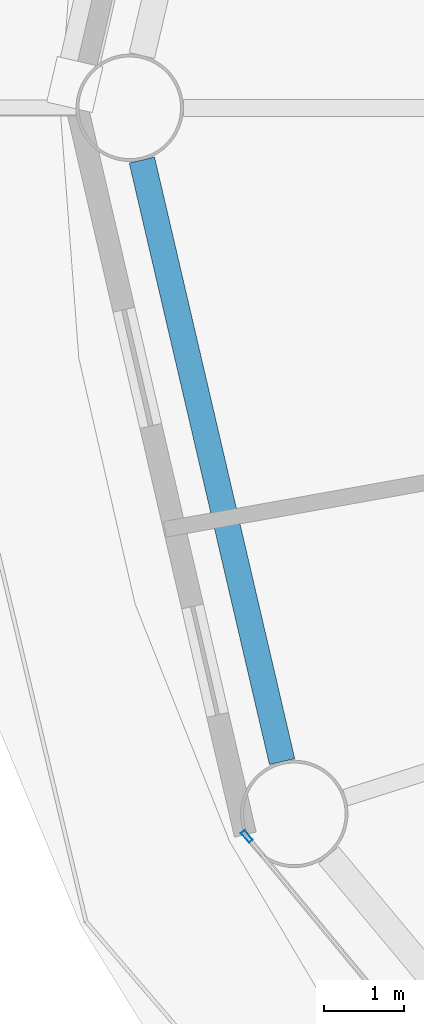
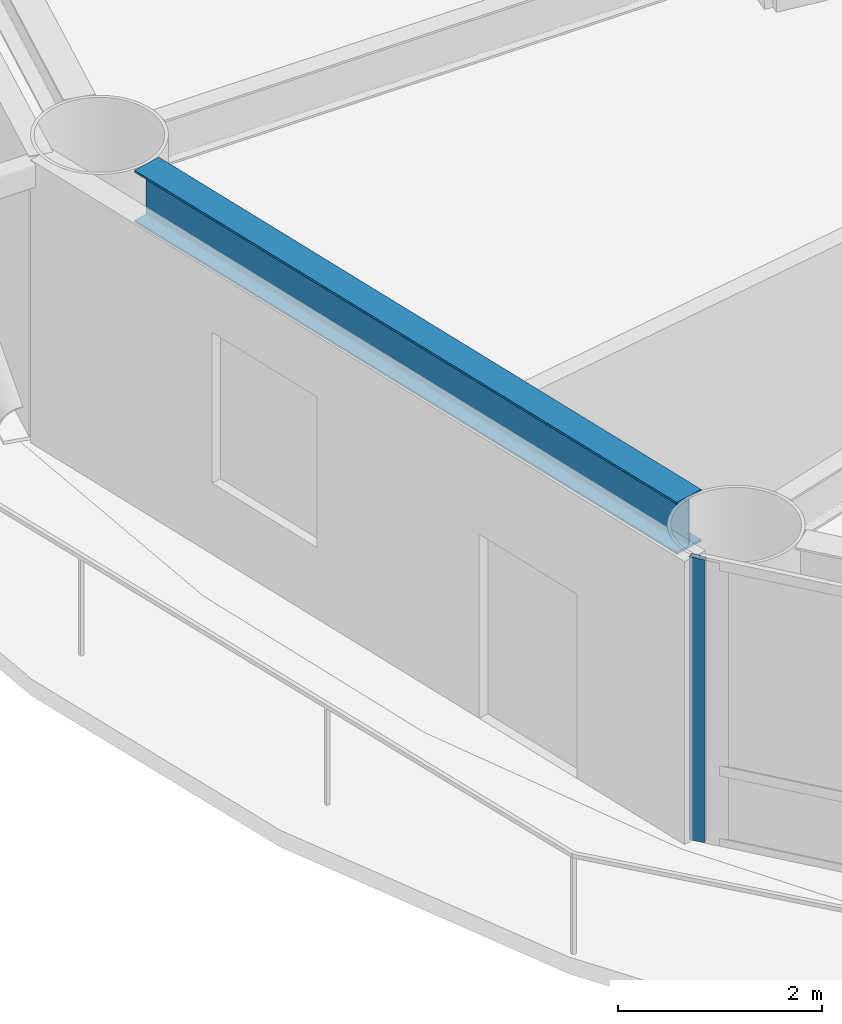
# One storey, part 4 of 26: 1 beam, 1 member, 1 element without a shape of its own.
"""IFC4 building model written with IfcOpenShell, lengths in metres."""

import ifcopenshell
import ifcopenshell.guid

model = None  # the IFC model being written
_history = None  # IfcOwnerHistory: only IFC2X3 demands one
_inside = {}  # id of a spatial element -> (the spatial element, [elements in it])
_under = {}  # id of a project, library or spatial element -> (it, [spatial elements below it])
_declared = {}  # id of a project -> (the project, [libraries it declares])
_typed = {}  # id of a type object -> (the type object, [elements of that type])
_made_of = {}  # id of a material, layer set ... -> (it, [elements and type objects made of it])


def new_model(schema):
    """Start an empty IFC model of exactly this schema.

    Asked for "IFC4X3", IfcOpenShell would pick the latest addendum, in which some entities
    have other attributes; the version numbers below select the first issue.
    IFC2X3 requires an IfcOwnerHistory on every rooted entity: one is made here for all.
    """
    global model, _history
    if schema == "IFC4X3":
        model = ifcopenshell.file(schema_version=(4, 3, 0, 0))
    else:
        model = ifcopenshell.file(schema=schema)
    _inside.clear()
    _under.clear()
    _declared.clear()
    _typed.clear()
    _made_of.clear()
    _history = None
    if model.schema == "IFC2X3":
        org = make("IfcOrganization", Name="unknown")
        user = make(
            "IfcPersonAndOrganization",
            ThePerson=make("IfcPerson", FamilyName="unknown"),
            TheOrganization=org,
        )
        app = make(
            "IfcApplication",
            ApplicationDeveloper=org,
            Version="unknown",
            ApplicationFullName="unknown",
            ApplicationIdentifier="unknown",
        )
        _history = make(
            "IfcOwnerHistory",
            OwningUser=user,
            OwningApplication=app,
            ChangeAction="ADDED",
            CreationDate=0,
        )
    return model


def make(cls, **values):
    """One entity of the class cls with the attributes given. An attribute that is None is left unset."""
    return model.create_entity(
        cls, **{name: value for name, value in values.items() if value is not None}
    )


def rooted(cls, **values):
    """An entity with a GlobalId (a new one), such as an element, a storey or a relation."""
    return make(cls, GlobalId=ifcopenshell.guid.new(), OwnerHistory=_history, **values)


def si_unit(unit_type, name, prefix=None):
    """IfcSIUnit, for example si_unit("LENGTHUNIT", "METRE", prefix="MILLI")."""
    return make("IfcSIUnit", UnitType=unit_type, Prefix=prefix, Name=name)


def assignment(units):
    """IfcUnitAssignment: the units of a project."""
    return None if units is None else make("IfcUnitAssignment", Units=units)


def point(xyz):
    """IfcCartesianPoint."""
    return None if xyz is None else make("IfcCartesianPoint", Coordinates=xyz)


def direction(xyz):
    """IfcDirection."""
    return None if xyz is None else make("IfcDirection", DirectionRatios=xyz)


def frame(location, z_axis=None, x_axis=None):
    """IfcAxis2Placement3D, a coordinate frame: its origin and axes. An axis left out is left unset."""
    return make(
        "IfcAxis2Placement3D",
        Location=point(location),
        Axis=direction(z_axis),
        RefDirection=direction(x_axis),
    )


def frame_2d(location, x_axis=None):
    """IfcAxis2Placement2D, a coordinate frame in the plane: its origin and x axis."""
    return make(
        "IfcAxis2Placement2D", Location=point(location), RefDirection=direction(x_axis)
    )


def origin():
    """The frame at (0, 0, 0) with its axes left unset."""
    return frame((0.0, 0.0, 0.0))


def origin_2d():
    """The frame at (0, 0) in the plane with its x axis left unset."""
    return frame_2d((0.0, 0.0))


def place(relative_to, where):
    """IfcLocalPlacement: puts the frame where relative to a parent placement (None: the world)."""
    return make(
        "IfcLocalPlacement", PlacementRelTo=relative_to, RelativePlacement=where
    )


def context(
    kind, dimensions, precision=None, world=None, true_north=None, identifier=None
):
    """IfcGeometricRepresentationContext, for example the 3D "Model" context."""
    return make(
        "IfcGeometricRepresentationContext",
        ContextIdentifier=identifier,
        ContextType=kind,
        CoordinateSpaceDimension=dimensions,
        Precision=precision,
        WorldCoordinateSystem=world,
        TrueNorth=true_north,
    )


def subcontext(parent, identifier, kind, view, scale=None):
    """IfcGeometricRepresentationSubContext, for example "Body" below "Model"."""
    return make(
        "IfcGeometricRepresentationSubContext",
        ContextIdentifier=identifier,
        ContextType=kind,
        ParentContext=parent,
        TargetScale=scale,
        TargetView=view,
    )


def project(units=None, contexts=None):
    """IfcProject with its units and contexts."""
    return rooted(
        "IfcProject",
        Name="project",
        RepresentationContexts=contexts,
        UnitsInContext=assignment(units),
    )


def spatial(cls, under=None, at=None, **own):
    """A site, building, storey or space (cls), placed at a placement, below another one or the project."""
    s = rooted(cls, ObjectPlacement=at, **own)
    if under is not None:
        _under.setdefault(under.id(), (under, []))[1].append(s)
    return s


def profile(cls, at=None, kind="AREA", **sizes):
    """A parametric profile (cls). Its sizes go by their IFC names, for example OverallWidth=200.0."""
    return make(cls, ProfileType=kind, Position=at, **sizes)


def hollow_rectangle(**sizes):
    """IfcRectangleHollowProfileDef."""
    return profile("IfcRectangleHollowProfileDef", **sizes)


def i_section(**sizes):
    """IfcIShapeProfileDef."""
    return profile("IfcIShapeProfileDef", **sizes)


def extrude(swept, where, along, depth):
    """IfcExtrudedAreaSolid: the profile swept, set in the frame where, extruded along a direction by depth."""
    return make(
        "IfcExtrudedAreaSolid",
        SweptArea=swept,
        Position=where,
        ExtrudedDirection=direction(along),
        Depth=depth,
    )


def shape(context_of_items, identifier, shape_type, items):
    """IfcShapeRepresentation: the items that make up one representation, for example the "Body"."""
    return make(
        "IfcShapeRepresentation",
        ContextOfItems=context_of_items,
        RepresentationIdentifier=identifier,
        RepresentationType=shape_type,
        Items=items,
    )


def material(Name=None, Category=None):
    """IfcMaterial."""
    return make("IfcMaterial", Name=Name, Category=Category)


def layer(
    of_material, thickness, ventilated=None, Name=None, Category=None, Priority=None
):
    """IfcMaterialLayer: one layer of a wall or slab, of a material (None: an air gap)."""
    return make(
        "IfcMaterialLayer",
        Material=of_material,
        LayerThickness=thickness,
        IsVentilated=ventilated,
        Name=Name,
        Category=Category,
        Priority=Priority,
    )


def layer_set(layers, Name=None):
    """IfcMaterialLayerSet."""
    return make("IfcMaterialLayerSet", MaterialLayers=layers, LayerSetName=Name)


def material_profile(
    of_material, cross_section, Name=None, Category=None, Priority=None
):
    """IfcMaterialProfile: a cross section and its material."""
    return make(
        "IfcMaterialProfile",
        Name=Name,
        Material=of_material,
        Profile=cross_section,
        Priority=Priority,
        Category=Category,
    )


def profile_set(profiles, Name=None, composite=None):
    """IfcMaterialProfileSet."""
    return make(
        "IfcMaterialProfileSet",
        Name=Name,
        MaterialProfiles=profiles,
        CompositeProfile=composite,
    )


def made_of(thing, what):
    """Note that an element or type object is made of a material, layer set ...; save() writes the relation."""
    if what is not None:
        _made_of.setdefault(what.id(), (what, []))[1].append(thing)
    return thing


def type_object(cls, material=None, **own):
    """A type object (cls), such as IfcWallType, which elements share."""
    return made_of(rooted(cls, **own), material)


def element(
    cls,
    number,
    at=None,
    inside=None,
    cuts=None,
    type_object=None,
    material=None,
    context=None,
    identifier="Body",
    shape_type=None,
    held_by="IfcProductDefinitionShape",
    body=None,
    shapes=None,
    **own,
):
    """One element of the class cls, such as IfcWall. Its Tag is "e" and its number.

    at: its placement. inside: the storey or other place that contains it. cuts: it is an
    opening in that element (IfcRelVoidsElement). A single representation is given by context,
    identifier, shape_type and body (its items); several are given by shapes. held_by: the class
    of the entity that holds the representations. save() writes the other relations.
    """
    e = rooted(cls, Tag="e%d" % number, ObjectPlacement=at, **own)
    if body is not None:
        shapes = [shape(context, identifier, shape_type, body)]
    if shapes is not None:
        e.Representation = make(held_by, Representations=shapes)
    if inside is not None:
        _inside.setdefault(inside.id(), (inside, []))[1].append(e)
    if cuts is not None:
        rooted(
            "IfcRelVoidsElement", RelatingBuildingElement=cuts, RelatedOpeningElement=e
        )
    if type_object is not None:
        _typed.setdefault(type_object.id(), (type_object, []))[1].append(e)
    return made_of(e, material)


def aggregate(whole, parts):
    """IfcRelAggregates: a whole, such as a stair, and the parts it consists of."""
    return rooted("IfcRelAggregates", RelatingObject=whole, RelatedObjects=parts)


def save(model, path):
    """Write the relations noted so far, then the file.

    IfcRelAggregates (storeys below a building ...), IfcRelContainedInSpatialStructure (elements
    in a storey), IfcRelDefinesByType, IfcRelAssociatesMaterial and IfcRelDeclares: one each for
    every whole, place, type object, material and project.
    """
    for whole, parts in _under.values():
        aggregate(whole, parts)
    for where, things in _inside.values():
        rooted(
            "IfcRelContainedInSpatialStructure",
            RelatedElements=things,
            RelatingStructure=where,
        )
    for kind, things in _typed.values():
        rooted("IfcRelDefinesByType", RelatedObjects=things, RelatingType=kind)
    for what, things in _made_of.values():
        rooted("IfcRelAssociatesMaterial", RelatedObjects=things, RelatingMaterial=what)
    for by, libraries in _declared.values():
        rooted("IfcRelDeclares", RelatingContext=by, RelatedDefinitions=libraries)
    model.write(path)


model = new_model("IFC4")

# Units and contexts
model_context = context("Model", 3, precision=1e-05, world=origin(), true_north=direction((0.0, 1.0)))
body_context = subcontext(model_context, "Body", "Model", "MODEL_VIEW")
ifc_project = project(units=[si_unit("LENGTHUNIT", "METRE"), si_unit("AREAUNIT", "SQUARE_METRE"), si_unit("VOLUMEUNIT", "CUBIC_METRE"), si_unit("PLANEANGLEUNIT", "RADIAN"), si_unit("MASSUNIT", "GRAM", prefix="KILO")], contexts=[model_context])

# Site, building, storey
site_placement = place(None, origin())
site = spatial("IfcSite", under=ifc_project, at=site_placement, CompositionType="ELEMENT")
building_placement = place(site_placement, origin())
building = spatial("IfcBuilding", under=site, at=building_placement, Name="Sarneth Arch Tower", CompositionType="ELEMENT")
storey_placement = place(building_placement, frame((0.0, 0.0, 49.800048828125)))
storey = spatial("IfcBuildingStorey", under=building, at=storey_placement, Name="L11", CompositionType="ELEMENT", Elevation=49.800048828125)

# Beam
ifc_material_1 = material(Name="Steel S355", Category="steel")
ifc_material_profile_1 = material_profile(ifc_material_1, i_section(OverallWidth=0.326904296875, OverallDepth=0.6220703125, WebThickness=0.015380859375, FlangeThickness=0.0244140625, FilletRadius=0.01904296875, at=origin_2d()), Name="W610x195")
ifc_profile_set_1 = profile_set([ifc_material_profile_1], Name="Steel S355")
beam_type = type_object("IfcBeamType", Name="BM-SPAN-610A", PredefinedType="SPANDREL", material=ifc_profile_set_1)
beam_placement = place(storey_placement, frame((18.118408203125, 41.342529296875, 3.06884765625), z_axis=(0.227001042423, -0.973894515201, 0.0), x_axis=(0.973894515201, 0.227001042423, 0.0)))
element("IfcBeam", 1, at=beam_placement, inside=storey, type_object=beam_type, Name="L11 Perimeter spandrel beam 09", PredefinedType="SPANDREL", context=body_context, shape_type="SweptSolid", body=[
    extrude(i_section(OverallWidth=0.326904296875, OverallDepth=0.6220703125, WebThickness=0.015380859375, FlangeThickness=0.0244140625, FilletRadius=0.01904296875, at=origin_2d()), origin(), (0.0, 0.0, 1.0), 7.76611328125),
])

# Curtain wall, member
ifc_material_2 = material(Name="Anodised aluminium Type AA25 and solar-control low-e laminated IGU", Category="aluminium")
ifc_layer = layer(ifc_material_2, 0.159912109375)
ifc_layer_set = layer_set([ifc_layer], Name="Anodised aluminium Type AA25 and solar-control low-e laminated IGU")
curtain_wall_type = type_object("IfcCurtainWallType", Name="CW-HOTEL-LOW", PredefinedType="NOTDEFINED", material=ifc_layer_set)
curtain_wall_placement = place(storey_placement, origin())
curtain_wall = element("IfcCurtainWall", 2, at=curtain_wall_placement, inside=storey, type_object=curtain_wall_type, Name="L11 Unitised curtain wall facet 10", PredefinedType="NOTDEFINED")
ifc_material_3 = material(Name="Anodised Aluminium 6063-T6", Category="aluminium")
ifc_material_profile_2 = material_profile(ifc_material_3, hollow_rectangle(XDim=0.06005859375, YDim=0.159912109375, WallThickness=0.00390625, at=origin_2d()), Name="AL-MULL-160x60x4")
ifc_profile_set_2 = profile_set([ifc_material_profile_2], Name="Anodised Aluminium 6063-T6")
member_type = type_object("IfcMemberType", Name="CW-MULLION", PredefinedType="MULLION", material=ifc_profile_set_2)
member_placement = place(storey_placement, frame((19.438232421875, 32.83837890625, 0.0), z_axis=(0.0, 0.0, 1.0), x_axis=(0.770622960278, 0.637291340827, 0.0)))
member = element("IfcMember", 3, at=member_placement, type_object=member_type, Name="CW-SYS-3 mullion 1", PredefinedType="MULLION", context=body_context, shape_type="SweptSolid", body=[
    extrude(hollow_rectangle(XDim=0.06005859375, YDim=0.159912109375, WallThickness=0.00390625, at=origin_2d()), origin(), (0.0, 0.0, 1.0), 3.3798828125),
])
aggregate(curtain_wall, [member])

save(model, "model.ifc")
